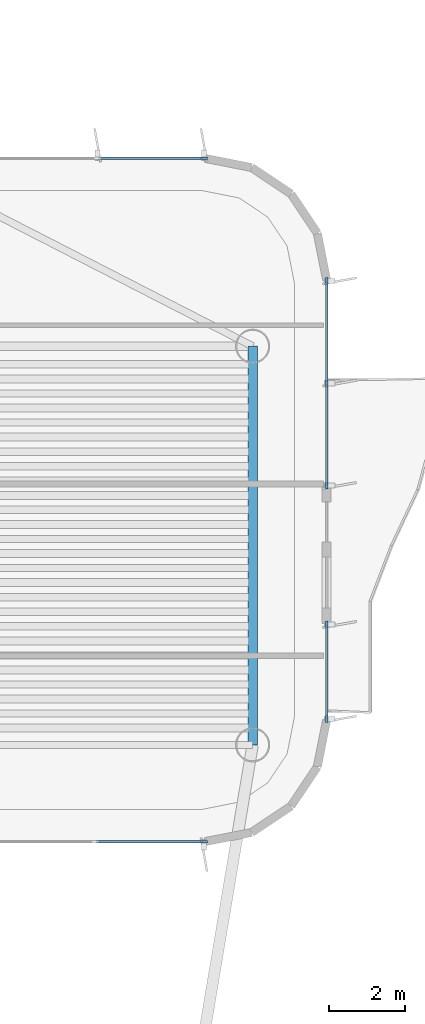
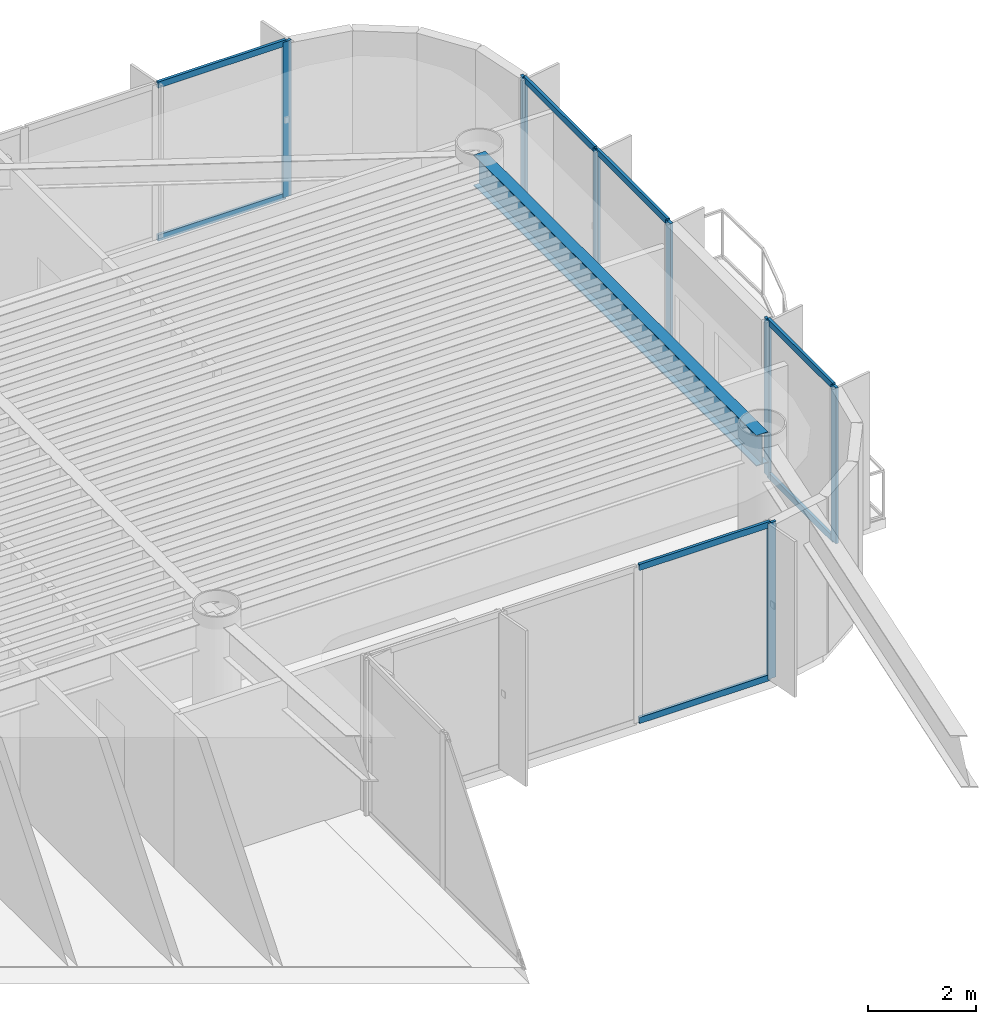
# One storey, part 8 of 15: 17 members, 1 beam, 4 elements without a shape of their own.
"""IFC4 building model written with IfcOpenShell, lengths in metres."""

from ifc_helpers import new_model, si_unit, direction, frame, origin, origin_2d, place, context, subcontext, project, spatial, rectangle, i_section, extrude, source, transform, mapped, material, layer, layer_set, material_profile, profile_set, type_object, element, aggregate, save


model = new_model("IFC4")

# Units and contexts
model_context = context("Model", 3, precision=1e-05, world=origin(), true_north=direction((0.0, 1.0)))
body_context = subcontext(model_context, "Body", "Model", "MODEL_VIEW")
ifc_project = project(units=[si_unit("LENGTHUNIT", "METRE"), si_unit("AREAUNIT", "SQUARE_METRE"), si_unit("VOLUMEUNIT", "CUBIC_METRE"), si_unit("PLANEANGLEUNIT", "RADIAN"), si_unit("MASSUNIT", "GRAM", prefix="KILO")], contexts=[model_context])

# Site, building, storey
site_placement = place(None, origin())
site = spatial("IfcSite", under=ifc_project, at=site_placement, CompositionType="ELEMENT")
building_placement = place(site_placement, origin())
building = spatial("IfcBuilding", under=site, at=building_placement, Name="Brelvock Crest Care Tower", CompositionType="ELEMENT")
storey_placement = place(building_placement, frame((0.0, 0.0, 268.3798828125)))
storey = spatial("IfcBuildingStorey", under=building, at=storey_placement, Name="L68", CompositionType="ELEMENT", Elevation=268.3798828125)

# Beam
ifc_material_1 = material(Name="Steel Grade 350", Category="steel")
ifc_material_profile_1 = material_profile(ifc_material_1, i_section(OverallWidth=0.25, OverallDepth=0.699951171875, WebThickness=0.011962890625, FlangeThickness=0.02001953125, at=origin_2d()), Name="700WB150")
ifc_profile_set_1 = profile_set([ifc_material_profile_1], Name="Steel Grade 350")
beam_type = type_object("IfcBeamType", Name="BM-G4", PredefinedType="BEAM", material=ifc_profile_set_1)
shared_shape_1 = source(origin(), body_context, "Body", "SweptSolid", [
    extrude(i_section(OverallWidth=0.25, OverallDepth=0.699951171875, WebThickness=0.011962890625, FlangeThickness=0.02001953125, at=origin_2d()), origin(), (0.0, 0.0, 1.0), 10.5),
])
beam_placement = place(storey_placement, frame((52.35009765625, 43.949951171875, 3.18017578125), z_axis=(0.0, 1.0, 0.0), x_axis=(-1.0, 0.0, 0.0)))
element("IfcBeam", 1, at=beam_placement, inside=storey, type_object=beam_type, Name="BM-TWR-L68-02", PredefinedType="BEAM", context=body_context, shape_type="MappedRepresentation", body=[
    mapped(shared_shape_1, transform((0.0, 0.0, 0.0), x_axis=(1.0, 0.0, 0.0), y_axis=(0.0, 1.0, 0.0), z_axis=(0.0, 0.0, 1.0), scale=1.0)),
])

# Curtain wall, member
ifc_material_2 = material(Name="Dark Glass Double Glazed Low-E", Category="glass")
ifc_layer = layer(ifc_material_2, 0.239990234375, Name="CWS-5")
ifc_layer_set = layer_set([ifc_layer], Name="Dark Glass Double Glazed Low-E")
curtain_wall_type = type_object("IfcCurtainWallType", Name="CWS-5", PredefinedType="NOTDEFINED", material=ifc_layer_set)
curtain_wall_1_placement = place(storey_placement, origin())
curtain_wall_1 = element("IfcCurtainWall", 2, at=curtain_wall_1_placement, inside=storey, type_object=curtain_wall_type, Name="L68 Curtain Wall E34", PredefinedType="NOTDEFINED")
ifc_material_3 = material(Name="Aluminium 6063-T6", Category="aluminium")
ifc_material_profile_2 = material_profile(ifc_material_3, rectangle(XDim=0.06005859375, YDim=0.179931640625, at=origin_2d()), Name="ALU60x180")
ifc_profile_set_2 = profile_set([ifc_material_profile_2], Name="Aluminium 6063-T6")
member_type_1 = type_object("IfcMemberType", Name="CWM-2", PredefinedType="MULLION", material=ifc_profile_set_2)
shared_shape_2 = source(origin(), body_context, "Body", "SweptSolid", [
    extrude(rectangle(XDim=0.06005859375, YDim=0.179931640625, at=origin_2d()), origin(), (0.0, 0.0, 1.0), 3.530029296875),
])
member_1_placement = place(storey_placement, frame((51.070068359375, 59.39990234375, 0.0), z_axis=(0.0, 0.0, 1.0), x_axis=(0.0, 1.0, 0.0)))
member_1 = element("IfcMember", 3, at=member_1_placement, type_object=member_type_1, Name="CW-5 mullion 4", PredefinedType="MULLION", context=body_context, shape_type="MappedRepresentation", body=[
    mapped(shared_shape_2, transform((0.0, 0.0, 0.0), x_axis=(1.0, 0.0, 0.0), y_axis=(0.0, 1.0, 0.0), z_axis=(0.0, 0.0, 1.0), scale=1.0)),
])

# Curtain wall, members
curtain_wall_2_placement = place(storey_placement, origin())
curtain_wall_2 = element("IfcCurtainWall", 4, at=curtain_wall_2_placement, inside=storey, type_object=curtain_wall_type, Name="L68 Curtain Wall E39A", PredefinedType="NOTDEFINED")
member_2_placement = place(storey_placement, frame((54.300048828125, 56.169921875, 0.0), z_axis=(0.0, 0.0, 1.0), x_axis=(1.0, 0.0, 0.0)))
member_2 = element("IfcMember", 5, at=member_2_placement, type_object=member_type_1, Name="CW-5 mullion 1", PredefinedType="MULLION", context=body_context, shape_type="MappedRepresentation", body=[
    mapped(shared_shape_2, transform((0.0, 0.0, 0.0), x_axis=(1.0, 0.0, 0.0), y_axis=(0.0, 1.0, 0.0), z_axis=(0.0, 0.0, 1.0), scale=1.0)),
])
member_3_placement = place(storey_placement, frame((54.300048828125, 53.47509765625, 0.0), z_axis=(0.0, 0.0, 1.0), x_axis=(1.0, 0.0, 0.0)))
member_3 = element("IfcMember", 6, at=member_3_placement, type_object=member_type_1, Name="CW-5 mullion 2", PredefinedType="MULLION", context=body_context, shape_type="MappedRepresentation", body=[
    mapped(shared_shape_2, transform((0.0, 0.0, 0.0), x_axis=(1.0, 0.0, 0.0), y_axis=(0.0, 1.0, 0.0), z_axis=(0.0, 0.0, 1.0), scale=1.0)),
])
member_4_placement = place(storey_placement, frame((54.300048828125, 50.780029296875, 0.0), z_axis=(0.0, 0.0, 1.0), x_axis=(1.0, 0.0, 0.0)))
member_4 = element("IfcMember", 7, at=member_4_placement, type_object=member_type_1, Name="CW-5 mullion 3", PredefinedType="MULLION", context=body_context, shape_type="MappedRepresentation", body=[
    mapped(shared_shape_2, transform((0.0, 0.0, 0.0), x_axis=(1.0, 0.0, 0.0), y_axis=(0.0, 1.0, 0.0), z_axis=(0.0, 0.0, 1.0), scale=1.0)),
])

curtain_wall_3_placement = place(storey_placement, origin())
curtain_wall_3 = element("IfcCurtainWall", 8, at=curtain_wall_3_placement, inside=storey, type_object=curtain_wall_type, Name="L68 Curtain Wall E39B", PredefinedType="NOTDEFINED")
member_5_placement = place(storey_placement, frame((54.300048828125, 47.1201171875, 0.0), z_axis=(0.0, 0.0, 1.0), x_axis=(1.0, 0.0, 0.0)))
member_5 = element("IfcMember", 9, at=member_5_placement, type_object=member_type_1, Name="CW-5 mullion 1", PredefinedType="MULLION", context=body_context, shape_type="MappedRepresentation", body=[
    mapped(shared_shape_2, transform((0.0, 0.0, 0.0), x_axis=(1.0, 0.0, 0.0), y_axis=(0.0, 1.0, 0.0), z_axis=(0.0, 0.0, 1.0), scale=1.0)),
])
member_6_placement = place(storey_placement, frame((54.300048828125, 44.6298828125, 0.0), z_axis=(0.0, 0.0, 1.0), x_axis=(1.0, 0.0, 0.0)))
member_6 = element("IfcMember", 10, at=member_6_placement, type_object=member_type_1, Name="CW-5 mullion 2", PredefinedType="MULLION", context=body_context, shape_type="MappedRepresentation", body=[
    mapped(shared_shape_2, transform((0.0, 0.0, 0.0), x_axis=(1.0, 0.0, 0.0), y_axis=(0.0, 1.0, 0.0), z_axis=(0.0, 0.0, 1.0), scale=1.0)),
])

curtain_wall_4_placement = place(storey_placement, origin())
curtain_wall_4 = element("IfcCurtainWall", 11, at=curtain_wall_4_placement, inside=storey, type_object=curtain_wall_type, Name="L68 Curtain Wall E44", PredefinedType="NOTDEFINED")
member_7_placement = place(storey_placement, frame((51.070068359375, 41.39990234375, 0.0), z_axis=(0.0, 0.0, 1.0), x_axis=(0.0, -1.0, 0.0)))
member_7 = element("IfcMember", 12, at=member_7_placement, type_object=member_type_1, Name="CW-5 mullion 1", PredefinedType="MULLION", context=body_context, shape_type="MappedRepresentation", body=[
    mapped(shared_shape_2, transform((0.0, 0.0, 0.0), x_axis=(1.0, 0.0, 0.0), y_axis=(0.0, 1.0, 0.0), z_axis=(0.0, 0.0, 1.0), scale=1.0)),
])
ifc_material_profile_3 = material_profile(ifc_material_3, rectangle(XDim=0.06005859375, YDim=0.139892578125, at=origin_2d()), Name="ALU60x140")
ifc_profile_set_3 = profile_set([ifc_material_profile_3], Name="Aluminium 6063-T6")
member_type_2 = type_object("IfcMemberType", Name="CWT-2", PredefinedType="USERDEFINED", material=ifc_profile_set_3)
shared_shape_3 = source(origin(), body_context, "Body", "SweptSolid", [
    extrude(rectangle(XDim=0.06005859375, YDim=0.139892578125, at=origin_2d()), origin(), (0.0, 0.0, 1.0), 2.81005859375),
])
member_8_placement = place(storey_placement, frame((51.0400390625, 41.39990234375, 0.030029296875), z_axis=(-1.0, 0.0, 0.0), x_axis=(0.0, -1.0, 0.0)))
member_8 = element("IfcMember", 13, at=member_8_placement, type_object=member_type_2, Name="CW-5 transom 1.1", ObjectType="TRANSOM", PredefinedType="USERDEFINED", context=body_context, shape_type="MappedRepresentation", body=[
    mapped(shared_shape_3, transform((0.0, 0.0, 0.0), x_axis=(1.0, 0.0, 0.0), y_axis=(0.0, 1.0, 0.0), z_axis=(0.0, 0.0, 1.0), scale=1.0)),
])
member_9_placement = place(storey_placement, frame((51.0400390625, 41.39990234375, 3.5), z_axis=(-1.0, 0.0, 0.0), x_axis=(0.0, -1.0, 0.0)))
member_9 = element("IfcMember", 14, at=member_9_placement, type_object=member_type_2, Name="CW-5 transom 1.2", ObjectType="TRANSOM", PredefinedType="USERDEFINED", context=body_context, shape_type="MappedRepresentation", body=[
    mapped(shared_shape_3, transform((0.0, 0.0, 0.0), x_axis=(1.0, 0.0, 0.0), y_axis=(0.0, 1.0, 0.0), z_axis=(0.0, 0.0, 1.0), scale=1.0)),
])
aggregate(curtain_wall_4, [member_7, member_8, member_9])

# Member
shared_shape_4 = source(origin(), body_context, "Body", "SweptSolid", [
    extrude(rectangle(XDim=0.06005859375, YDim=0.139892578125, at=origin_2d()), origin(), (0.0, 0.0, 1.0), 2.743408203125),
])
member_10_placement = place(storey_placement, frame((48.296630859375, 59.39990234375, 0.030029296875), z_axis=(1.0, 0.0, 0.0), x_axis=(0.0, 1.0, 0.0)))
member_10 = element("IfcMember", 15, at=member_10_placement, type_object=member_type_2, Name="CW-5 transom 3.1", ObjectType="TRANSOM", PredefinedType="USERDEFINED", context=body_context, shape_type="MappedRepresentation", body=[
    mapped(shared_shape_4, transform((0.0, 0.0, 0.0), x_axis=(1.0, 0.0, 0.0), y_axis=(0.0, 1.0, 0.0), z_axis=(0.0, 0.0, 1.0), scale=1.0)),
])

member_11_placement = place(storey_placement, frame((48.296630859375, 59.39990234375, 3.5), z_axis=(1.0, 0.0, 0.0), x_axis=(0.0, 1.0, 0.0)))
member_11 = element("IfcMember", 16, at=member_11_placement, type_object=member_type_2, Name="CW-5 transom 3.2", ObjectType="TRANSOM", PredefinedType="USERDEFINED", context=body_context, shape_type="MappedRepresentation", body=[
    mapped(shared_shape_4, transform((0.0, 0.0, 0.0), x_axis=(1.0, 0.0, 0.0), y_axis=(0.0, 1.0, 0.0), z_axis=(0.0, 0.0, 1.0), scale=1.0)),
])

aggregate(curtain_wall_1, [member_1, member_10, member_11])

shared_shape_5 = source(origin(), body_context, "Body", "SweptSolid", [
    extrude(rectangle(XDim=0.06005859375, YDim=0.139892578125, at=origin_2d()), origin(), (0.0, 0.0, 1.0), 2.43017578125),
])
member_12_placement = place(storey_placement, frame((54.300048828125, 47.090087890625, 0.030029296875), z_axis=(0.0, -1.0, 0.0), x_axis=(1.0, 0.0, 0.0)))
member_12 = element("IfcMember", 17, at=member_12_placement, type_object=member_type_2, Name="CW-5 transom 1.1", ObjectType="TRANSOM", PredefinedType="USERDEFINED", context=body_context, shape_type="MappedRepresentation", body=[
    mapped(shared_shape_5, transform((0.0, 0.0, 0.0), x_axis=(1.0, 0.0, 0.0), y_axis=(0.0, 1.0, 0.0), z_axis=(0.0, 0.0, 1.0), scale=1.0)),
])

member_13_placement = place(storey_placement, frame((54.300048828125, 47.090087890625, 3.5), z_axis=(0.0, -1.0, 0.0), x_axis=(1.0, 0.0, 0.0)))
member_13 = element("IfcMember", 18, at=member_13_placement, type_object=member_type_2, Name="CW-5 transom 1.2", ObjectType="TRANSOM", PredefinedType="USERDEFINED", context=body_context, shape_type="MappedRepresentation", body=[
    mapped(shared_shape_5, transform((0.0, 0.0, 0.0), x_axis=(1.0, 0.0, 0.0), y_axis=(0.0, 1.0, 0.0), z_axis=(0.0, 0.0, 1.0), scale=1.0)),
])

aggregate(curtain_wall_3, [member_5, member_6, member_12, member_13])

shared_shape_6 = source(origin(), body_context, "Body", "SweptSolid", [
    extrude(rectangle(XDim=0.06005859375, YDim=0.139892578125, at=origin_2d()), origin(), (0.0, 0.0, 1.0), 2.635009765625),
])
member_14_placement = place(storey_placement, frame((54.300048828125, 56.139892578125, 0.030029296875), z_axis=(0.0, -1.0, 0.0), x_axis=(1.0, 0.0, 0.0)))
member_14 = element("IfcMember", 19, at=member_14_placement, type_object=member_type_2, Name="CW-5 transom 1.1", ObjectType="TRANSOM", PredefinedType="USERDEFINED", context=body_context, shape_type="MappedRepresentation", body=[
    mapped(shared_shape_6, transform((0.0, 0.0, 0.0), x_axis=(1.0, 0.0, 0.0), y_axis=(0.0, 1.0, 0.0), z_axis=(0.0, 0.0, 1.0), scale=1.0)),
])

member_15_placement = place(storey_placement, frame((54.300048828125, 56.139892578125, 3.5), z_axis=(0.0, -1.0, 0.0), x_axis=(1.0, 0.0, 0.0)))
member_15 = element("IfcMember", 20, at=member_15_placement, type_object=member_type_2, Name="CW-5 transom 1.2", ObjectType="TRANSOM", PredefinedType="USERDEFINED", context=body_context, shape_type="MappedRepresentation", body=[
    mapped(shared_shape_6, transform((0.0, 0.0, 0.0), x_axis=(1.0, 0.0, 0.0), y_axis=(0.0, 1.0, 0.0), z_axis=(0.0, 0.0, 1.0), scale=1.0)),
])

member_16_placement = place(storey_placement, frame((54.300048828125, 53.445068359375, 0.030029296875), z_axis=(0.0, -1.0, 0.0), x_axis=(1.0, 0.0, 0.0)))
member_16 = element("IfcMember", 21, at=member_16_placement, type_object=member_type_2, Name="CW-5 transom 2.1", ObjectType="TRANSOM", PredefinedType="USERDEFINED", context=body_context, shape_type="MappedRepresentation", body=[
    mapped(shared_shape_6, transform((0.0, 0.0, 0.0), x_axis=(1.0, 0.0, 0.0), y_axis=(0.0, 1.0, 0.0), z_axis=(0.0, 0.0, 1.0), scale=1.0)),
])

member_17_placement = place(storey_placement, frame((54.300048828125, 53.445068359375, 3.5), z_axis=(0.0, -1.0, 0.0), x_axis=(1.0, 0.0, 0.0)))
member_17 = element("IfcMember", 22, at=member_17_placement, type_object=member_type_2, Name="CW-5 transom 2.2", ObjectType="TRANSOM", PredefinedType="USERDEFINED", context=body_context, shape_type="MappedRepresentation", body=[
    mapped(shared_shape_6, transform((0.0, 0.0, 0.0), x_axis=(1.0, 0.0, 0.0), y_axis=(0.0, 1.0, 0.0), z_axis=(0.0, 0.0, 1.0), scale=1.0)),
])

aggregate(curtain_wall_2, [member_2, member_3, member_4, member_14, member_15, member_16, member_17])

save(model, "model.ifc")
